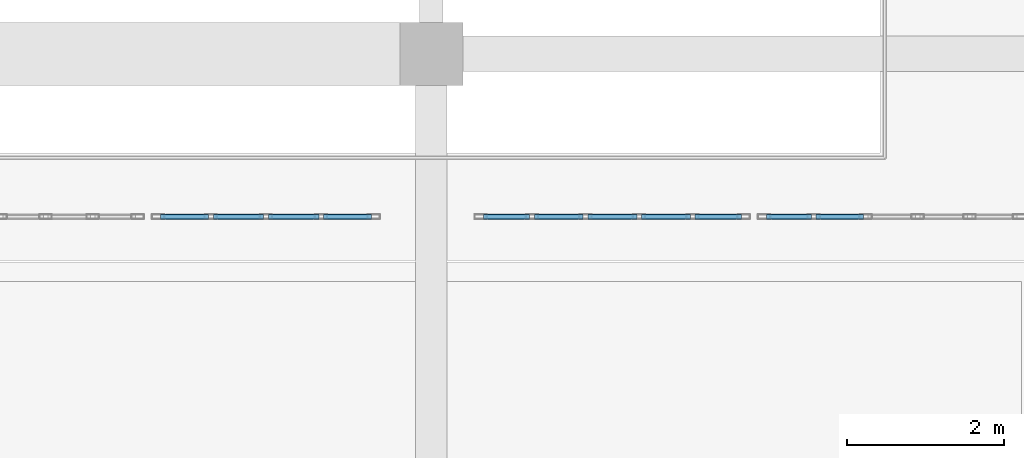
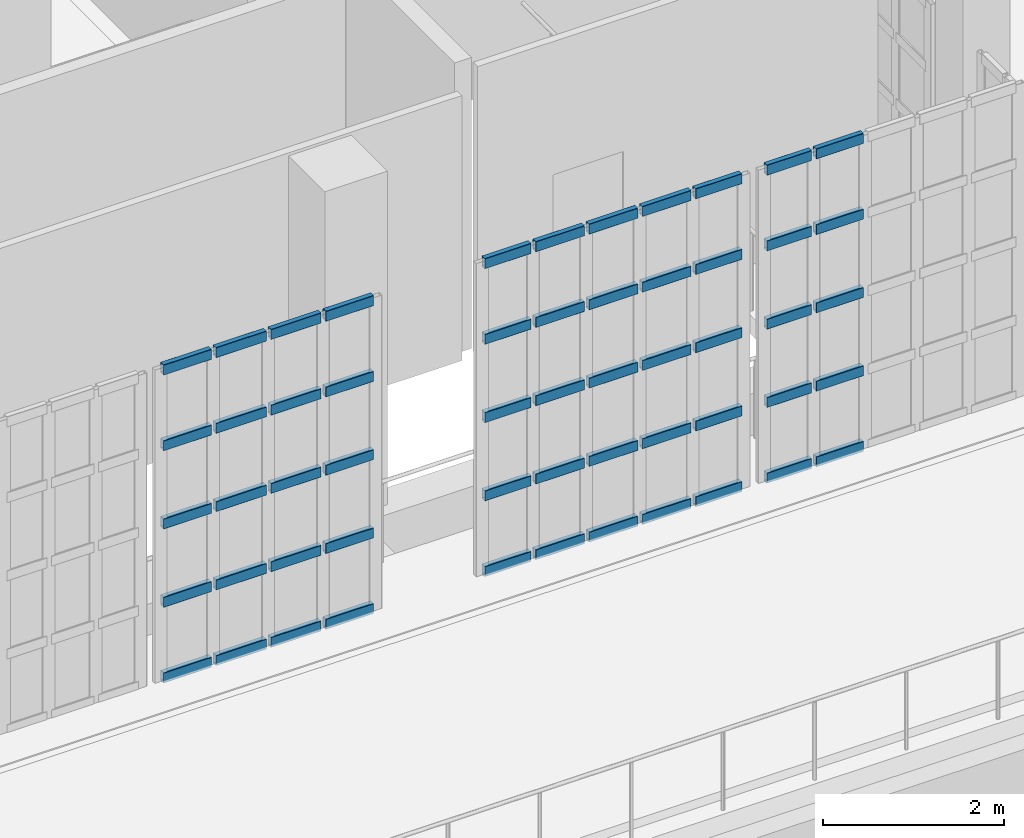
# One storey, part 27 of 56: 55 members, 3 elements without a shape of their own.
"""IFC4 building model written with IfcOpenShell, lengths in metres."""

import ifcopenshell
import ifcopenshell.guid

model = None  # the IFC model being written
_history = None  # IfcOwnerHistory: only IFC2X3 demands one
_inside = {}  # id of a spatial element -> (the spatial element, [elements in it])
_under = {}  # id of a project, library or spatial element -> (it, [spatial elements below it])
_declared = {}  # id of a project -> (the project, [libraries it declares])
_typed = {}  # id of a type object -> (the type object, [elements of that type])
_made_of = {}  # id of a material, layer set ... -> (it, [elements and type objects made of it])


def new_model(schema):
    """Start an empty IFC model of exactly this schema.

    Asked for "IFC4X3", IfcOpenShell would pick the latest addendum, in which some entities
    have other attributes; the version numbers below select the first issue.
    IFC2X3 requires an IfcOwnerHistory on every rooted entity: one is made here for all.
    """
    global model, _history
    if schema == "IFC4X3":
        model = ifcopenshell.file(schema_version=(4, 3, 0, 0))
    else:
        model = ifcopenshell.file(schema=schema)
    _inside.clear()
    _under.clear()
    _declared.clear()
    _typed.clear()
    _made_of.clear()
    _history = None
    if model.schema == "IFC2X3":
        org = make("IfcOrganization", Name="unknown")
        user = make(
            "IfcPersonAndOrganization",
            ThePerson=make("IfcPerson", FamilyName="unknown"),
            TheOrganization=org,
        )
        app = make(
            "IfcApplication",
            ApplicationDeveloper=org,
            Version="unknown",
            ApplicationFullName="unknown",
            ApplicationIdentifier="unknown",
        )
        _history = make(
            "IfcOwnerHistory",
            OwningUser=user,
            OwningApplication=app,
            ChangeAction="ADDED",
            CreationDate=0,
        )
    return model


def make(cls, **values):
    """One entity of the class cls with the attributes given. An attribute that is None is left unset."""
    return model.create_entity(
        cls, **{name: value for name, value in values.items() if value is not None}
    )


def rooted(cls, **values):
    """An entity with a GlobalId (a new one), such as an element, a storey or a relation."""
    return make(cls, GlobalId=ifcopenshell.guid.new(), OwnerHistory=_history, **values)


def si_unit(unit_type, name, prefix=None):
    """IfcSIUnit, for example si_unit("LENGTHUNIT", "METRE", prefix="MILLI")."""
    return make("IfcSIUnit", UnitType=unit_type, Prefix=prefix, Name=name)


def assignment(units):
    """IfcUnitAssignment: the units of a project."""
    return None if units is None else make("IfcUnitAssignment", Units=units)


def point(xyz):
    """IfcCartesianPoint."""
    return None if xyz is None else make("IfcCartesianPoint", Coordinates=xyz)


def direction(xyz):
    """IfcDirection."""
    return None if xyz is None else make("IfcDirection", DirectionRatios=xyz)


def frame(location, z_axis=None, x_axis=None):
    """IfcAxis2Placement3D, a coordinate frame: its origin and axes. An axis left out is left unset."""
    return make(
        "IfcAxis2Placement3D",
        Location=point(location),
        Axis=direction(z_axis),
        RefDirection=direction(x_axis),
    )


def frame_2d(location, x_axis=None):
    """IfcAxis2Placement2D, a coordinate frame in the plane: its origin and x axis."""
    return make(
        "IfcAxis2Placement2D", Location=point(location), RefDirection=direction(x_axis)
    )


def origin():
    """The frame at (0, 0, 0) with its axes left unset."""
    return frame((0.0, 0.0, 0.0))


def origin_2d():
    """The frame at (0, 0) in the plane with its x axis left unset."""
    return frame_2d((0.0, 0.0))


def place(relative_to, where):
    """IfcLocalPlacement: puts the frame where relative to a parent placement (None: the world)."""
    return make(
        "IfcLocalPlacement", PlacementRelTo=relative_to, RelativePlacement=where
    )


def context(
    kind, dimensions, precision=None, world=None, true_north=None, identifier=None
):
    """IfcGeometricRepresentationContext, for example the 3D "Model" context."""
    return make(
        "IfcGeometricRepresentationContext",
        ContextIdentifier=identifier,
        ContextType=kind,
        CoordinateSpaceDimension=dimensions,
        Precision=precision,
        WorldCoordinateSystem=world,
        TrueNorth=true_north,
    )


def subcontext(parent, identifier, kind, view, scale=None):
    """IfcGeometricRepresentationSubContext, for example "Body" below "Model"."""
    return make(
        "IfcGeometricRepresentationSubContext",
        ContextIdentifier=identifier,
        ContextType=kind,
        ParentContext=parent,
        TargetScale=scale,
        TargetView=view,
    )


def project(units=None, contexts=None):
    """IfcProject with its units and contexts."""
    return rooted(
        "IfcProject",
        Name="project",
        RepresentationContexts=contexts,
        UnitsInContext=assignment(units),
    )


def spatial(cls, under=None, at=None, **own):
    """A site, building, storey or space (cls), placed at a placement, below another one or the project."""
    s = rooted(cls, ObjectPlacement=at, **own)
    if under is not None:
        _under.setdefault(under.id(), (under, []))[1].append(s)
    return s


def profile(cls, at=None, kind="AREA", **sizes):
    """A parametric profile (cls). Its sizes go by their IFC names, for example OverallWidth=200.0."""
    return make(cls, ProfileType=kind, Position=at, **sizes)


def hollow_rectangle(**sizes):
    """IfcRectangleHollowProfileDef."""
    return profile("IfcRectangleHollowProfileDef", **sizes)


def extrude(swept, where, along, depth):
    """IfcExtrudedAreaSolid: the profile swept, set in the frame where, extruded along a direction by depth."""
    return make(
        "IfcExtrudedAreaSolid",
        SweptArea=swept,
        Position=where,
        ExtrudedDirection=direction(along),
        Depth=depth,
    )


def shape(context_of_items, identifier, shape_type, items):
    """IfcShapeRepresentation: the items that make up one representation, for example the "Body"."""
    return make(
        "IfcShapeRepresentation",
        ContextOfItems=context_of_items,
        RepresentationIdentifier=identifier,
        RepresentationType=shape_type,
        Items=items,
    )


def material(Name=None, Category=None):
    """IfcMaterial."""
    return make("IfcMaterial", Name=Name, Category=Category)


def material_profile(
    of_material, cross_section, Name=None, Category=None, Priority=None
):
    """IfcMaterialProfile: a cross section and its material."""
    return make(
        "IfcMaterialProfile",
        Name=Name,
        Material=of_material,
        Profile=cross_section,
        Priority=Priority,
        Category=Category,
    )


def profile_set(profiles, Name=None, composite=None):
    """IfcMaterialProfileSet."""
    return make(
        "IfcMaterialProfileSet",
        Name=Name,
        MaterialProfiles=profiles,
        CompositeProfile=composite,
    )


def made_of(thing, what):
    """Note that an element or type object is made of a material, layer set ...; save() writes the relation."""
    if what is not None:
        _made_of.setdefault(what.id(), (what, []))[1].append(thing)
    return thing


def type_object(cls, material=None, **own):
    """A type object (cls), such as IfcWallType, which elements share."""
    return made_of(rooted(cls, **own), material)


def element(
    cls,
    number,
    at=None,
    inside=None,
    cuts=None,
    type_object=None,
    material=None,
    context=None,
    identifier="Body",
    shape_type=None,
    held_by="IfcProductDefinitionShape",
    body=None,
    shapes=None,
    **own,
):
    """One element of the class cls, such as IfcWall. Its Tag is "e" and its number.

    at: its placement. inside: the storey or other place that contains it. cuts: it is an
    opening in that element (IfcRelVoidsElement). A single representation is given by context,
    identifier, shape_type and body (its items); several are given by shapes. held_by: the class
    of the entity that holds the representations. save() writes the other relations.
    """
    e = rooted(cls, Tag="e%d" % number, ObjectPlacement=at, **own)
    if body is not None:
        shapes = [shape(context, identifier, shape_type, body)]
    if shapes is not None:
        e.Representation = make(held_by, Representations=shapes)
    if inside is not None:
        _inside.setdefault(inside.id(), (inside, []))[1].append(e)
    if cuts is not None:
        rooted(
            "IfcRelVoidsElement", RelatingBuildingElement=cuts, RelatedOpeningElement=e
        )
    if type_object is not None:
        _typed.setdefault(type_object.id(), (type_object, []))[1].append(e)
    return made_of(e, material)


def aggregate(whole, parts):
    """IfcRelAggregates: a whole, such as a stair, and the parts it consists of."""
    return rooted("IfcRelAggregates", RelatingObject=whole, RelatedObjects=parts)


def save(model, path):
    """Write the relations noted so far, then the file.

    IfcRelAggregates (storeys below a building ...), IfcRelContainedInSpatialStructure (elements
    in a storey), IfcRelDefinesByType, IfcRelAssociatesMaterial and IfcRelDeclares: one each for
    every whole, place, type object, material and project.
    """
    for whole, parts in _under.values():
        aggregate(whole, parts)
    for where, things in _inside.values():
        rooted(
            "IfcRelContainedInSpatialStructure",
            RelatedElements=things,
            RelatingStructure=where,
        )
    for kind, things in _typed.values():
        rooted("IfcRelDefinesByType", RelatedObjects=things, RelatingType=kind)
    for what, things in _made_of.values():
        rooted("IfcRelAssociatesMaterial", RelatedObjects=things, RelatingMaterial=what)
    for by, libraries in _declared.values():
        rooted("IfcRelDeclares", RelatingContext=by, RelatedDefinitions=libraries)
    model.write(path)


model = new_model("IFC4")

# Units and contexts
model_context = context("Model", 3, precision=1e-05, world=origin(), true_north=direction((0.0, 1.0)))
body_context = subcontext(model_context, "Body", "Model", "MODEL_VIEW")
ifc_project = project(units=[si_unit("LENGTHUNIT", "METRE"), si_unit("AREAUNIT", "SQUARE_METRE"), si_unit("VOLUMEUNIT", "CUBIC_METRE"), si_unit("PLANEANGLEUNIT", "RADIAN"), si_unit("MASSUNIT", "GRAM", prefix="KILO")], contexts=[model_context])

# Site, building, storey
site_placement = place(None, origin())
site = spatial("IfcSite", under=ifc_project, at=site_placement, CompositionType="ELEMENT")
building_placement = place(site_placement, origin())
building = spatial("IfcBuilding", under=site, at=building_placement, Name="Kaelora Sail Theatre", CompositionType="ELEMENT")
storey_placement = place(building_placement, frame((0.0, 0.0, 14.699951171875)))
storey = spatial("IfcBuildingStorey", under=building, at=storey_placement, Name="L03", CompositionType="ELEMENT", Elevation=14.699951171875)

# Curtain wall, members
ifc_material_1 = material(Name="Anodised aluminium and solar-control low-E IGU", Category="aluminium")
curtain_wall_type = type_object("IfcCurtainWallType", Name="ARC-CW-CW-BRG", PredefinedType="NOTDEFINED", material=ifc_material_1)
curtain_wall_1_placement = place(storey_placement, origin())
curtain_wall_1 = element("IfcCurtainWall", 1, at=curtain_wall_1_placement, inside=storey, type_object=curtain_wall_type, Name="Glazed Foyer/Conservatory Curtain Wall FC1-S-L03-09", PredefinedType="NOTDEFINED")
ifc_material_2 = material(Name="Anodised aluminium 6063-T6", Category="aluminium")
ifc_material_profile = material_profile(ifc_material_2, hollow_rectangle(XDim=0.070068359375, YDim=0.139892578125, WallThickness=0.00390625, InnerFilletRadius=0.00390625, OuterFilletRadius=0.008056640625, at=origin_2d()), Name="ALU-TRAN 70x140x4")
ifc_profile_set = profile_set([ifc_material_profile], Name="Anodised aluminium 6063-T6")
member_type = type_object("IfcMemberType", Name="ARC-MEM-TR-140", PredefinedType="USERDEFINED", material=ifc_profile_set)
member_1_placement = place(storey_placement, frame((79.06005859375, 66.389892578125, 0.03515625), z_axis=(1.0, 0.0, 0.0), x_axis=(0.0, 1.0, 0.0)))
member_1 = element("IfcMember", 2, at=member_1_placement, type_object=member_type, Name="CW-BRG transom 1.1", ObjectType="TRANSOM", PredefinedType="USERDEFINED", context=body_context, shape_type="SweptSolid", body=[
    extrude(hollow_rectangle(XDim=0.070068359375, YDim=0.139892578125, WallThickness=0.00390625, InnerFilletRadius=0.00390625, OuterFilletRadius=0.008056640625, at=origin_2d()), origin(), (0.0, 0.0, 1.0), 0.60986328125),
])
member_2_placement = place(storey_placement, frame((79.06005859375, 66.389892578125, 1.05615234375), z_axis=(1.0, 0.0, 0.0), x_axis=(0.0, 1.0, 0.0)))
member_2 = element("IfcMember", 3, at=member_2_placement, type_object=member_type, Name="CW-BRG transom 1.2", ObjectType="TRANSOM", PredefinedType="USERDEFINED", context=body_context, shape_type="SweptSolid", body=[
    extrude(hollow_rectangle(XDim=0.070068359375, YDim=0.139892578125, WallThickness=0.00390625, InnerFilletRadius=0.00390625, OuterFilletRadius=0.008056640625, at=origin_2d()), origin(), (0.0, 0.0, 1.0), 0.60986328125),
])
member_3_placement = place(storey_placement, frame((79.06005859375, 66.389892578125, 2.112548828125), z_axis=(1.0, 0.0, 0.0), x_axis=(0.0, 1.0, 0.0)))
member_3 = element("IfcMember", 4, at=member_3_placement, type_object=member_type, Name="CW-BRG transom 1.3", ObjectType="TRANSOM", PredefinedType="USERDEFINED", context=body_context, shape_type="SweptSolid", body=[
    extrude(hollow_rectangle(XDim=0.070068359375, YDim=0.139892578125, WallThickness=0.00390625, InnerFilletRadius=0.00390625, OuterFilletRadius=0.008056640625, at=origin_2d()), origin(), (0.0, 0.0, 1.0), 0.60986328125),
])
member_4_placement = place(storey_placement, frame((79.06005859375, 66.389892578125, 3.168701171875), z_axis=(1.0, 0.0, 0.0), x_axis=(0.0, 1.0, 0.0)))
member_4 = element("IfcMember", 5, at=member_4_placement, type_object=member_type, Name="CW-BRG transom 1.4", ObjectType="TRANSOM", PredefinedType="USERDEFINED", context=body_context, shape_type="SweptSolid", body=[
    extrude(hollow_rectangle(XDim=0.070068359375, YDim=0.139892578125, WallThickness=0.00390625, InnerFilletRadius=0.00390625, OuterFilletRadius=0.008056640625, at=origin_2d()), origin(), (0.0, 0.0, 1.0), 0.60986328125),
])
member_5_placement = place(storey_placement, frame((79.06005859375, 66.389892578125, 4.18994140625), z_axis=(1.0, 0.0, 0.0), x_axis=(0.0, 1.0, 0.0)))
member_5 = element("IfcMember", 6, at=member_5_placement, type_object=member_type, Name="CW-BRG transom 1.5", ObjectType="TRANSOM", PredefinedType="USERDEFINED", context=body_context, shape_type="SweptSolid", body=[
    extrude(hollow_rectangle(XDim=0.070068359375, YDim=0.139892578125, WallThickness=0.00390625, InnerFilletRadius=0.00390625, OuterFilletRadius=0.008056640625, at=origin_2d()), origin(), (0.0, 0.0, 1.0), 0.60986328125),
])
member_6_placement = place(storey_placement, frame((79.72998046875, 66.389892578125, 0.03515625), z_axis=(1.0, 0.0, 0.0), x_axis=(0.0, 1.0, 0.0)))
member_6 = element("IfcMember", 7, at=member_6_placement, type_object=member_type, Name="CW-BRG transom 2.1", ObjectType="TRANSOM", PredefinedType="USERDEFINED", context=body_context, shape_type="SweptSolid", body=[
    extrude(hollow_rectangle(XDim=0.070068359375, YDim=0.139892578125, WallThickness=0.00390625, InnerFilletRadius=0.00390625, OuterFilletRadius=0.008056640625, at=origin_2d()), origin(), (0.0, 0.0, 1.0), 0.64013671875),
])
member_7_placement = place(storey_placement, frame((79.72998046875, 66.389892578125, 1.05615234375), z_axis=(1.0, 0.0, 0.0), x_axis=(0.0, 1.0, 0.0)))
member_7 = element("IfcMember", 8, at=member_7_placement, type_object=member_type, Name="CW-BRG transom 2.2", ObjectType="TRANSOM", PredefinedType="USERDEFINED", context=body_context, shape_type="SweptSolid", body=[
    extrude(hollow_rectangle(XDim=0.070068359375, YDim=0.139892578125, WallThickness=0.00390625, InnerFilletRadius=0.00390625, OuterFilletRadius=0.008056640625, at=origin_2d()), origin(), (0.0, 0.0, 1.0), 0.64013671875),
])
member_8_placement = place(storey_placement, frame((79.72998046875, 66.389892578125, 2.112548828125), z_axis=(1.0, 0.0, 0.0), x_axis=(0.0, 1.0, 0.0)))
member_8 = element("IfcMember", 9, at=member_8_placement, type_object=member_type, Name="CW-BRG transom 2.3", ObjectType="TRANSOM", PredefinedType="USERDEFINED", context=body_context, shape_type="SweptSolid", body=[
    extrude(hollow_rectangle(XDim=0.070068359375, YDim=0.139892578125, WallThickness=0.00390625, InnerFilletRadius=0.00390625, OuterFilletRadius=0.008056640625, at=origin_2d()), origin(), (0.0, 0.0, 1.0), 0.64013671875),
])
member_9_placement = place(storey_placement, frame((79.72998046875, 66.389892578125, 3.168701171875), z_axis=(1.0, 0.0, 0.0), x_axis=(0.0, 1.0, 0.0)))
member_9 = element("IfcMember", 10, at=member_9_placement, type_object=member_type, Name="CW-BRG transom 2.4", ObjectType="TRANSOM", PredefinedType="USERDEFINED", context=body_context, shape_type="SweptSolid", body=[
    extrude(hollow_rectangle(XDim=0.070068359375, YDim=0.139892578125, WallThickness=0.00390625, InnerFilletRadius=0.00390625, OuterFilletRadius=0.008056640625, at=origin_2d()), origin(), (0.0, 0.0, 1.0), 0.64013671875),
])
member_10_placement = place(storey_placement, frame((79.72998046875, 66.389892578125, 4.18994140625), z_axis=(1.0, 0.0, 0.0), x_axis=(0.0, 1.0, 0.0)))
member_10 = element("IfcMember", 11, at=member_10_placement, type_object=member_type, Name="CW-BRG transom 2.5", ObjectType="TRANSOM", PredefinedType="USERDEFINED", context=body_context, shape_type="SweptSolid", body=[
    extrude(hollow_rectangle(XDim=0.070068359375, YDim=0.139892578125, WallThickness=0.00390625, InnerFilletRadius=0.00390625, OuterFilletRadius=0.008056640625, at=origin_2d()), origin(), (0.0, 0.0, 1.0), 0.64013671875),
])
member_11_placement = place(storey_placement, frame((80.429931640625, 66.389892578125, 0.03515625), z_axis=(1.0, 0.0, 0.0), x_axis=(0.0, 1.0, 0.0)))
member_11 = element("IfcMember", 12, at=member_11_placement, type_object=member_type, Name="CW-BRG transom 3.1", ObjectType="TRANSOM", PredefinedType="USERDEFINED", context=body_context, shape_type="SweptSolid", body=[
    extrude(hollow_rectangle(XDim=0.070068359375, YDim=0.139892578125, WallThickness=0.00390625, InnerFilletRadius=0.00390625, OuterFilletRadius=0.008056640625, at=origin_2d()), origin(), (0.0, 0.0, 1.0), 0.64013671875),
])
member_12_placement = place(storey_placement, frame((80.429931640625, 66.389892578125, 1.05615234375), z_axis=(1.0, 0.0, 0.0), x_axis=(0.0, 1.0, 0.0)))
member_12 = element("IfcMember", 13, at=member_12_placement, type_object=member_type, Name="CW-BRG transom 3.2", ObjectType="TRANSOM", PredefinedType="USERDEFINED", context=body_context, shape_type="SweptSolid", body=[
    extrude(hollow_rectangle(XDim=0.070068359375, YDim=0.139892578125, WallThickness=0.00390625, InnerFilletRadius=0.00390625, OuterFilletRadius=0.008056640625, at=origin_2d()), origin(), (0.0, 0.0, 1.0), 0.64013671875),
])
member_13_placement = place(storey_placement, frame((80.429931640625, 66.389892578125, 2.112548828125), z_axis=(1.0, 0.0, 0.0), x_axis=(0.0, 1.0, 0.0)))
member_13 = element("IfcMember", 14, at=member_13_placement, type_object=member_type, Name="CW-BRG transom 3.3", ObjectType="TRANSOM", PredefinedType="USERDEFINED", context=body_context, shape_type="SweptSolid", body=[
    extrude(hollow_rectangle(XDim=0.070068359375, YDim=0.139892578125, WallThickness=0.00390625, InnerFilletRadius=0.00390625, OuterFilletRadius=0.008056640625, at=origin_2d()), origin(), (0.0, 0.0, 1.0), 0.64013671875),
])
member_14_placement = place(storey_placement, frame((80.429931640625, 66.389892578125, 3.168701171875), z_axis=(1.0, 0.0, 0.0), x_axis=(0.0, 1.0, 0.0)))
member_14 = element("IfcMember", 15, at=member_14_placement, type_object=member_type, Name="CW-BRG transom 3.4", ObjectType="TRANSOM", PredefinedType="USERDEFINED", context=body_context, shape_type="SweptSolid", body=[
    extrude(hollow_rectangle(XDim=0.070068359375, YDim=0.139892578125, WallThickness=0.00390625, InnerFilletRadius=0.00390625, OuterFilletRadius=0.008056640625, at=origin_2d()), origin(), (0.0, 0.0, 1.0), 0.64013671875),
])
member_15_placement = place(storey_placement, frame((80.429931640625, 66.389892578125, 4.18994140625), z_axis=(1.0, 0.0, 0.0), x_axis=(0.0, 1.0, 0.0)))
member_15 = element("IfcMember", 16, at=member_15_placement, type_object=member_type, Name="CW-BRG transom 3.5", ObjectType="TRANSOM", PredefinedType="USERDEFINED", context=body_context, shape_type="SweptSolid", body=[
    extrude(hollow_rectangle(XDim=0.070068359375, YDim=0.139892578125, WallThickness=0.00390625, InnerFilletRadius=0.00390625, OuterFilletRadius=0.008056640625, at=origin_2d()), origin(), (0.0, 0.0, 1.0), 0.64013671875),
])
member_16_placement = place(storey_placement, frame((81.1298828125, 66.389892578125, 0.03515625), z_axis=(1.0, 0.0, 0.0), x_axis=(0.0, 1.0, 0.0)))
member_16 = element("IfcMember", 17, at=member_16_placement, type_object=member_type, Name="CW-BRG transom 4.1", ObjectType="TRANSOM", PredefinedType="USERDEFINED", context=body_context, shape_type="SweptSolid", body=[
    extrude(hollow_rectangle(XDim=0.070068359375, YDim=0.139892578125, WallThickness=0.00390625, InnerFilletRadius=0.00390625, OuterFilletRadius=0.008056640625, at=origin_2d()), origin(), (0.0, 0.0, 1.0), 0.610107421875),
])
member_17_placement = place(storey_placement, frame((81.1298828125, 66.389892578125, 1.05615234375), z_axis=(1.0, 0.0, 0.0), x_axis=(0.0, 1.0, 0.0)))
member_17 = element("IfcMember", 18, at=member_17_placement, type_object=member_type, Name="CW-BRG transom 4.2", ObjectType="TRANSOM", PredefinedType="USERDEFINED", context=body_context, shape_type="SweptSolid", body=[
    extrude(hollow_rectangle(XDim=0.070068359375, YDim=0.139892578125, WallThickness=0.00390625, InnerFilletRadius=0.00390625, OuterFilletRadius=0.008056640625, at=origin_2d()), origin(), (0.0, 0.0, 1.0), 0.610107421875),
])
member_18_placement = place(storey_placement, frame((81.1298828125, 66.389892578125, 2.112548828125), z_axis=(1.0, 0.0, 0.0), x_axis=(0.0, 1.0, 0.0)))
member_18 = element("IfcMember", 19, at=member_18_placement, type_object=member_type, Name="CW-BRG transom 4.3", ObjectType="TRANSOM", PredefinedType="USERDEFINED", context=body_context, shape_type="SweptSolid", body=[
    extrude(hollow_rectangle(XDim=0.070068359375, YDim=0.139892578125, WallThickness=0.00390625, InnerFilletRadius=0.00390625, OuterFilletRadius=0.008056640625, at=origin_2d()), origin(), (0.0, 0.0, 1.0), 0.610107421875),
])
member_19_placement = place(storey_placement, frame((81.1298828125, 66.389892578125, 3.168701171875), z_axis=(1.0, 0.0, 0.0), x_axis=(0.0, 1.0, 0.0)))
member_19 = element("IfcMember", 20, at=member_19_placement, type_object=member_type, Name="CW-BRG transom 4.4", ObjectType="TRANSOM", PredefinedType="USERDEFINED", context=body_context, shape_type="SweptSolid", body=[
    extrude(hollow_rectangle(XDim=0.070068359375, YDim=0.139892578125, WallThickness=0.00390625, InnerFilletRadius=0.00390625, OuterFilletRadius=0.008056640625, at=origin_2d()), origin(), (0.0, 0.0, 1.0), 0.610107421875),
])
member_20_placement = place(storey_placement, frame((81.1298828125, 66.389892578125, 4.18994140625), z_axis=(1.0, 0.0, 0.0), x_axis=(0.0, 1.0, 0.0)))
member_20 = element("IfcMember", 21, at=member_20_placement, type_object=member_type, Name="CW-BRG transom 4.5", ObjectType="TRANSOM", PredefinedType="USERDEFINED", context=body_context, shape_type="SweptSolid", body=[
    extrude(hollow_rectangle(XDim=0.070068359375, YDim=0.139892578125, WallThickness=0.00390625, InnerFilletRadius=0.00390625, OuterFilletRadius=0.008056640625, at=origin_2d()), origin(), (0.0, 0.0, 1.0), 0.610107421875),
])
aggregate(curtain_wall_1, [member_1, member_2, member_3, member_4, member_5, member_6, member_7, member_8, member_9, member_10, member_11, member_12, member_13, member_14, member_15, member_16, member_17, member_18, member_19, member_20])

curtain_wall_2_placement = place(storey_placement, origin())
curtain_wall_2 = element("IfcCurtainWall", 22, at=curtain_wall_2_placement, inside=storey, type_object=curtain_wall_type, Name="Glazed Foyer/Conservatory Curtain Wall FC1-S-L03-10", PredefinedType="NOTDEFINED")
member_21_placement = place(storey_placement, frame((83.159912109375, 66.389892578125, 0.03515625), z_axis=(1.0, 0.0, 0.0), x_axis=(0.0, 1.0, 0.0)))
member_21 = element("IfcMember", 23, at=member_21_placement, type_object=member_type, Name="CW-BRG transom 1.1", ObjectType="TRANSOM", PredefinedType="USERDEFINED", context=body_context, shape_type="SweptSolid", body=[
    extrude(hollow_rectangle(XDim=0.070068359375, YDim=0.139892578125, WallThickness=0.00390625, InnerFilletRadius=0.00390625, OuterFilletRadius=0.008056640625, at=origin_2d()), origin(), (0.0, 0.0, 1.0), 0.590087890625),
])
member_22_placement = place(storey_placement, frame((83.159912109375, 66.389892578125, 1.05615234375), z_axis=(1.0, 0.0, 0.0), x_axis=(0.0, 1.0, 0.0)))
member_22 = element("IfcMember", 24, at=member_22_placement, type_object=member_type, Name="CW-BRG transom 1.2", ObjectType="TRANSOM", PredefinedType="USERDEFINED", context=body_context, shape_type="SweptSolid", body=[
    extrude(hollow_rectangle(XDim=0.070068359375, YDim=0.139892578125, WallThickness=0.00390625, InnerFilletRadius=0.00390625, OuterFilletRadius=0.008056640625, at=origin_2d()), origin(), (0.0, 0.0, 1.0), 0.590087890625),
])
member_23_placement = place(storey_placement, frame((83.159912109375, 66.389892578125, 2.112548828125), z_axis=(1.0, 0.0, 0.0), x_axis=(0.0, 1.0, 0.0)))
member_23 = element("IfcMember", 25, at=member_23_placement, type_object=member_type, Name="CW-BRG transom 1.3", ObjectType="TRANSOM", PredefinedType="USERDEFINED", context=body_context, shape_type="SweptSolid", body=[
    extrude(hollow_rectangle(XDim=0.070068359375, YDim=0.139892578125, WallThickness=0.00390625, InnerFilletRadius=0.00390625, OuterFilletRadius=0.008056640625, at=origin_2d()), origin(), (0.0, 0.0, 1.0), 0.590087890625),
])
member_24_placement = place(storey_placement, frame((83.159912109375, 66.389892578125, 3.168701171875), z_axis=(1.0, 0.0, 0.0), x_axis=(0.0, 1.0, 0.0)))
member_24 = element("IfcMember", 26, at=member_24_placement, type_object=member_type, Name="CW-BRG transom 1.4", ObjectType="TRANSOM", PredefinedType="USERDEFINED", context=body_context, shape_type="SweptSolid", body=[
    extrude(hollow_rectangle(XDim=0.070068359375, YDim=0.139892578125, WallThickness=0.00390625, InnerFilletRadius=0.00390625, OuterFilletRadius=0.008056640625, at=origin_2d()), origin(), (0.0, 0.0, 1.0), 0.590087890625),
])
member_25_placement = place(storey_placement, frame((83.159912109375, 66.389892578125, 4.18994140625), z_axis=(1.0, 0.0, 0.0), x_axis=(0.0, 1.0, 0.0)))
member_25 = element("IfcMember", 27, at=member_25_placement, type_object=member_type, Name="CW-BRG transom 1.5", ObjectType="TRANSOM", PredefinedType="USERDEFINED", context=body_context, shape_type="SweptSolid", body=[
    extrude(hollow_rectangle(XDim=0.070068359375, YDim=0.139892578125, WallThickness=0.00390625, InnerFilletRadius=0.00390625, OuterFilletRadius=0.008056640625, at=origin_2d()), origin(), (0.0, 0.0, 1.0), 0.590087890625),
])
member_26_placement = place(storey_placement, frame((83.81005859375, 66.389892578125, 0.03515625), z_axis=(1.0, 0.0, 0.0), x_axis=(0.0, 1.0, 0.0)))
member_26 = element("IfcMember", 28, at=member_26_placement, type_object=member_type, Name="CW-BRG transom 2.1", ObjectType="TRANSOM", PredefinedType="USERDEFINED", context=body_context, shape_type="SweptSolid", body=[
    extrude(hollow_rectangle(XDim=0.070068359375, YDim=0.139892578125, WallThickness=0.00390625, InnerFilletRadius=0.00390625, OuterFilletRadius=0.008056640625, at=origin_2d()), origin(), (0.0, 0.0, 1.0), 0.619873046875),
])
member_27_placement = place(storey_placement, frame((83.81005859375, 66.389892578125, 1.05615234375), z_axis=(1.0, 0.0, 0.0), x_axis=(0.0, 1.0, 0.0)))
member_27 = element("IfcMember", 29, at=member_27_placement, type_object=member_type, Name="CW-BRG transom 2.2", ObjectType="TRANSOM", PredefinedType="USERDEFINED", context=body_context, shape_type="SweptSolid", body=[
    extrude(hollow_rectangle(XDim=0.070068359375, YDim=0.139892578125, WallThickness=0.00390625, InnerFilletRadius=0.00390625, OuterFilletRadius=0.008056640625, at=origin_2d()), origin(), (0.0, 0.0, 1.0), 0.619873046875),
])
member_28_placement = place(storey_placement, frame((83.81005859375, 66.389892578125, 2.112548828125), z_axis=(1.0, 0.0, 0.0), x_axis=(0.0, 1.0, 0.0)))
member_28 = element("IfcMember", 30, at=member_28_placement, type_object=member_type, Name="CW-BRG transom 2.3", ObjectType="TRANSOM", PredefinedType="USERDEFINED", context=body_context, shape_type="SweptSolid", body=[
    extrude(hollow_rectangle(XDim=0.070068359375, YDim=0.139892578125, WallThickness=0.00390625, InnerFilletRadius=0.00390625, OuterFilletRadius=0.008056640625, at=origin_2d()), origin(), (0.0, 0.0, 1.0), 0.619873046875),
])
member_29_placement = place(storey_placement, frame((83.81005859375, 66.389892578125, 3.168701171875), z_axis=(1.0, 0.0, 0.0), x_axis=(0.0, 1.0, 0.0)))
member_29 = element("IfcMember", 31, at=member_29_placement, type_object=member_type, Name="CW-BRG transom 2.4", ObjectType="TRANSOM", PredefinedType="USERDEFINED", context=body_context, shape_type="SweptSolid", body=[
    extrude(hollow_rectangle(XDim=0.070068359375, YDim=0.139892578125, WallThickness=0.00390625, InnerFilletRadius=0.00390625, OuterFilletRadius=0.008056640625, at=origin_2d()), origin(), (0.0, 0.0, 1.0), 0.619873046875),
])
member_30_placement = place(storey_placement, frame((83.81005859375, 66.389892578125, 4.18994140625), z_axis=(1.0, 0.0, 0.0), x_axis=(0.0, 1.0, 0.0)))
member_30 = element("IfcMember", 32, at=member_30_placement, type_object=member_type, Name="CW-BRG transom 2.5", ObjectType="TRANSOM", PredefinedType="USERDEFINED", context=body_context, shape_type="SweptSolid", body=[
    extrude(hollow_rectangle(XDim=0.070068359375, YDim=0.139892578125, WallThickness=0.00390625, InnerFilletRadius=0.00390625, OuterFilletRadius=0.008056640625, at=origin_2d()), origin(), (0.0, 0.0, 1.0), 0.619873046875),
])
member_31_placement = place(storey_placement, frame((84.489990234375, 66.389892578125, 0.03515625), z_axis=(1.0, 0.0, 0.0), x_axis=(0.0, 1.0, 0.0)))
member_31 = element("IfcMember", 33, at=member_31_placement, type_object=member_type, Name="CW-BRG transom 3.1", ObjectType="TRANSOM", PredefinedType="USERDEFINED", context=body_context, shape_type="SweptSolid", body=[
    extrude(hollow_rectangle(XDim=0.070068359375, YDim=0.139892578125, WallThickness=0.00390625, InnerFilletRadius=0.00390625, OuterFilletRadius=0.008056640625, at=origin_2d()), origin(), (0.0, 0.0, 1.0), 0.6201171875),
])
member_32_placement = place(storey_placement, frame((84.489990234375, 66.389892578125, 1.05615234375), z_axis=(1.0, 0.0, 0.0), x_axis=(0.0, 1.0, 0.0)))
member_32 = element("IfcMember", 34, at=member_32_placement, type_object=member_type, Name="CW-BRG transom 3.2", ObjectType="TRANSOM", PredefinedType="USERDEFINED", context=body_context, shape_type="SweptSolid", body=[
    extrude(hollow_rectangle(XDim=0.070068359375, YDim=0.139892578125, WallThickness=0.00390625, InnerFilletRadius=0.00390625, OuterFilletRadius=0.008056640625, at=origin_2d()), origin(), (0.0, 0.0, 1.0), 0.6201171875),
])
member_33_placement = place(storey_placement, frame((84.489990234375, 66.389892578125, 2.112548828125), z_axis=(1.0, 0.0, 0.0), x_axis=(0.0, 1.0, 0.0)))
member_33 = element("IfcMember", 35, at=member_33_placement, type_object=member_type, Name="CW-BRG transom 3.3", ObjectType="TRANSOM", PredefinedType="USERDEFINED", context=body_context, shape_type="SweptSolid", body=[
    extrude(hollow_rectangle(XDim=0.070068359375, YDim=0.139892578125, WallThickness=0.00390625, InnerFilletRadius=0.00390625, OuterFilletRadius=0.008056640625, at=origin_2d()), origin(), (0.0, 0.0, 1.0), 0.6201171875),
])
member_34_placement = place(storey_placement, frame((84.489990234375, 66.389892578125, 3.168701171875), z_axis=(1.0, 0.0, 0.0), x_axis=(0.0, 1.0, 0.0)))
member_34 = element("IfcMember", 36, at=member_34_placement, type_object=member_type, Name="CW-BRG transom 3.4", ObjectType="TRANSOM", PredefinedType="USERDEFINED", context=body_context, shape_type="SweptSolid", body=[
    extrude(hollow_rectangle(XDim=0.070068359375, YDim=0.139892578125, WallThickness=0.00390625, InnerFilletRadius=0.00390625, OuterFilletRadius=0.008056640625, at=origin_2d()), origin(), (0.0, 0.0, 1.0), 0.6201171875),
])
member_35_placement = place(storey_placement, frame((84.489990234375, 66.389892578125, 4.18994140625), z_axis=(1.0, 0.0, 0.0), x_axis=(0.0, 1.0, 0.0)))
member_35 = element("IfcMember", 37, at=member_35_placement, type_object=member_type, Name="CW-BRG transom 3.5", ObjectType="TRANSOM", PredefinedType="USERDEFINED", context=body_context, shape_type="SweptSolid", body=[
    extrude(hollow_rectangle(XDim=0.070068359375, YDim=0.139892578125, WallThickness=0.00390625, InnerFilletRadius=0.00390625, OuterFilletRadius=0.008056640625, at=origin_2d()), origin(), (0.0, 0.0, 1.0), 0.6201171875),
])
member_36_placement = place(storey_placement, frame((85.169921875, 66.389892578125, 0.03515625), z_axis=(1.0, 0.0, 0.0), x_axis=(0.0, 1.0, 0.0)))
member_36 = element("IfcMember", 38, at=member_36_placement, type_object=member_type, Name="CW-BRG transom 4.1", ObjectType="TRANSOM", PredefinedType="USERDEFINED", context=body_context, shape_type="SweptSolid", body=[
    extrude(hollow_rectangle(XDim=0.070068359375, YDim=0.139892578125, WallThickness=0.00390625, InnerFilletRadius=0.00390625, OuterFilletRadius=0.008056640625, at=origin_2d()), origin(), (0.0, 0.0, 1.0), 0.6201171875),
])
member_37_placement = place(storey_placement, frame((85.169921875, 66.389892578125, 1.05615234375), z_axis=(1.0, 0.0, 0.0), x_axis=(0.0, 1.0, 0.0)))
member_37 = element("IfcMember", 39, at=member_37_placement, type_object=member_type, Name="CW-BRG transom 4.2", ObjectType="TRANSOM", PredefinedType="USERDEFINED", context=body_context, shape_type="SweptSolid", body=[
    extrude(hollow_rectangle(XDim=0.070068359375, YDim=0.139892578125, WallThickness=0.00390625, InnerFilletRadius=0.00390625, OuterFilletRadius=0.008056640625, at=origin_2d()), origin(), (0.0, 0.0, 1.0), 0.6201171875),
])
member_38_placement = place(storey_placement, frame((85.169921875, 66.389892578125, 2.112548828125), z_axis=(1.0, 0.0, 0.0), x_axis=(0.0, 1.0, 0.0)))
member_38 = element("IfcMember", 40, at=member_38_placement, type_object=member_type, Name="CW-BRG transom 4.3", ObjectType="TRANSOM", PredefinedType="USERDEFINED", context=body_context, shape_type="SweptSolid", body=[
    extrude(hollow_rectangle(XDim=0.070068359375, YDim=0.139892578125, WallThickness=0.00390625, InnerFilletRadius=0.00390625, OuterFilletRadius=0.008056640625, at=origin_2d()), origin(), (0.0, 0.0, 1.0), 0.6201171875),
])
member_39_placement = place(storey_placement, frame((85.169921875, 66.389892578125, 3.168701171875), z_axis=(1.0, 0.0, 0.0), x_axis=(0.0, 1.0, 0.0)))
member_39 = element("IfcMember", 41, at=member_39_placement, type_object=member_type, Name="CW-BRG transom 4.4", ObjectType="TRANSOM", PredefinedType="USERDEFINED", context=body_context, shape_type="SweptSolid", body=[
    extrude(hollow_rectangle(XDim=0.070068359375, YDim=0.139892578125, WallThickness=0.00390625, InnerFilletRadius=0.00390625, OuterFilletRadius=0.008056640625, at=origin_2d()), origin(), (0.0, 0.0, 1.0), 0.6201171875),
])
member_40_placement = place(storey_placement, frame((85.169921875, 66.389892578125, 4.18994140625), z_axis=(1.0, 0.0, 0.0), x_axis=(0.0, 1.0, 0.0)))
member_40 = element("IfcMember", 42, at=member_40_placement, type_object=member_type, Name="CW-BRG transom 4.5", ObjectType="TRANSOM", PredefinedType="USERDEFINED", context=body_context, shape_type="SweptSolid", body=[
    extrude(hollow_rectangle(XDim=0.070068359375, YDim=0.139892578125, WallThickness=0.00390625, InnerFilletRadius=0.00390625, OuterFilletRadius=0.008056640625, at=origin_2d()), origin(), (0.0, 0.0, 1.0), 0.6201171875),
])
member_41_placement = place(storey_placement, frame((85.85009765625, 66.389892578125, 0.03515625), z_axis=(1.0, 0.0, 0.0), x_axis=(0.0, 1.0, 0.0)))
member_41 = element("IfcMember", 43, at=member_41_placement, type_object=member_type, Name="CW-BRG transom 5.1", ObjectType="TRANSOM", PredefinedType="USERDEFINED", context=body_context, shape_type="SweptSolid", body=[
    extrude(hollow_rectangle(XDim=0.070068359375, YDim=0.139892578125, WallThickness=0.00390625, InnerFilletRadius=0.00390625, OuterFilletRadius=0.008056640625, at=origin_2d()), origin(), (0.0, 0.0, 1.0), 0.58984375),
])
member_42_placement = place(storey_placement, frame((85.85009765625, 66.389892578125, 1.05615234375), z_axis=(1.0, 0.0, 0.0), x_axis=(0.0, 1.0, 0.0)))
member_42 = element("IfcMember", 44, at=member_42_placement, type_object=member_type, Name="CW-BRG transom 5.2", ObjectType="TRANSOM", PredefinedType="USERDEFINED", context=body_context, shape_type="SweptSolid", body=[
    extrude(hollow_rectangle(XDim=0.070068359375, YDim=0.139892578125, WallThickness=0.00390625, InnerFilletRadius=0.00390625, OuterFilletRadius=0.008056640625, at=origin_2d()), origin(), (0.0, 0.0, 1.0), 0.58984375),
])
member_43_placement = place(storey_placement, frame((85.85009765625, 66.389892578125, 2.112548828125), z_axis=(1.0, 0.0, 0.0), x_axis=(0.0, 1.0, 0.0)))
member_43 = element("IfcMember", 45, at=member_43_placement, type_object=member_type, Name="CW-BRG transom 5.3", ObjectType="TRANSOM", PredefinedType="USERDEFINED", context=body_context, shape_type="SweptSolid", body=[
    extrude(hollow_rectangle(XDim=0.070068359375, YDim=0.139892578125, WallThickness=0.00390625, InnerFilletRadius=0.00390625, OuterFilletRadius=0.008056640625, at=origin_2d()), origin(), (0.0, 0.0, 1.0), 0.58984375),
])
member_44_placement = place(storey_placement, frame((85.85009765625, 66.389892578125, 3.168701171875), z_axis=(1.0, 0.0, 0.0), x_axis=(0.0, 1.0, 0.0)))
member_44 = element("IfcMember", 46, at=member_44_placement, type_object=member_type, Name="CW-BRG transom 5.4", ObjectType="TRANSOM", PredefinedType="USERDEFINED", context=body_context, shape_type="SweptSolid", body=[
    extrude(hollow_rectangle(XDim=0.070068359375, YDim=0.139892578125, WallThickness=0.00390625, InnerFilletRadius=0.00390625, OuterFilletRadius=0.008056640625, at=origin_2d()), origin(), (0.0, 0.0, 1.0), 0.58984375),
])
member_45_placement = place(storey_placement, frame((85.85009765625, 66.389892578125, 4.18994140625), z_axis=(1.0, 0.0, 0.0), x_axis=(0.0, 1.0, 0.0)))
member_45 = element("IfcMember", 47, at=member_45_placement, type_object=member_type, Name="CW-BRG transom 5.5", ObjectType="TRANSOM", PredefinedType="USERDEFINED", context=body_context, shape_type="SweptSolid", body=[
    extrude(hollow_rectangle(XDim=0.070068359375, YDim=0.139892578125, WallThickness=0.00390625, InnerFilletRadius=0.00390625, OuterFilletRadius=0.008056640625, at=origin_2d()), origin(), (0.0, 0.0, 1.0), 0.58984375),
])
aggregate(curtain_wall_2, [member_21, member_22, member_23, member_24, member_25, member_26, member_27, member_28, member_29, member_30, member_31, member_32, member_33, member_34, member_35, member_36, member_37, member_38, member_39, member_40, member_41, member_42, member_43, member_44, member_45])

curtain_wall_3_placement = place(storey_placement, origin())
curtain_wall_3 = element("IfcCurtainWall", 48, at=curtain_wall_3_placement, inside=storey, type_object=curtain_wall_type, Name="Glazed Foyer/Conservatory Curtain Wall FC1-S-L03-11", PredefinedType="NOTDEFINED")
member_46_placement = place(storey_placement, frame((86.760009765625, 66.389892578125, 0.03515625), z_axis=(1.0, 0.0, 0.0), x_axis=(0.0, 1.0, 0.0)))
member_46 = element("IfcMember", 49, at=member_46_placement, type_object=member_type, Name="CW-BRG transom 1.1", ObjectType="TRANSOM", PredefinedType="USERDEFINED", context=body_context, shape_type="SweptSolid", body=[
    extrude(hollow_rectangle(XDim=0.070068359375, YDim=0.139892578125, WallThickness=0.00390625, InnerFilletRadius=0.00390625, OuterFilletRadius=0.008056640625, at=origin_2d()), origin(), (0.0, 0.0, 1.0), 0.570068359375),
])
member_47_placement = place(storey_placement, frame((86.760009765625, 66.389892578125, 1.05615234375), z_axis=(1.0, 0.0, 0.0), x_axis=(0.0, 1.0, 0.0)))
member_47 = element("IfcMember", 50, at=member_47_placement, type_object=member_type, Name="CW-BRG transom 1.2", ObjectType="TRANSOM", PredefinedType="USERDEFINED", context=body_context, shape_type="SweptSolid", body=[
    extrude(hollow_rectangle(XDim=0.070068359375, YDim=0.139892578125, WallThickness=0.00390625, InnerFilletRadius=0.00390625, OuterFilletRadius=0.008056640625, at=origin_2d()), origin(), (0.0, 0.0, 1.0), 0.570068359375),
])
member_48_placement = place(storey_placement, frame((86.760009765625, 66.389892578125, 2.112548828125), z_axis=(1.0, 0.0, 0.0), x_axis=(0.0, 1.0, 0.0)))
member_48 = element("IfcMember", 51, at=member_48_placement, type_object=member_type, Name="CW-BRG transom 1.3", ObjectType="TRANSOM", PredefinedType="USERDEFINED", context=body_context, shape_type="SweptSolid", body=[
    extrude(hollow_rectangle(XDim=0.070068359375, YDim=0.139892578125, WallThickness=0.00390625, InnerFilletRadius=0.00390625, OuterFilletRadius=0.008056640625, at=origin_2d()), origin(), (0.0, 0.0, 1.0), 0.570068359375),
])
member_49_placement = place(storey_placement, frame((86.760009765625, 66.389892578125, 3.168701171875), z_axis=(1.0, 0.0, 0.0), x_axis=(0.0, 1.0, 0.0)))
member_49 = element("IfcMember", 52, at=member_49_placement, type_object=member_type, Name="CW-BRG transom 1.4", ObjectType="TRANSOM", PredefinedType="USERDEFINED", context=body_context, shape_type="SweptSolid", body=[
    extrude(hollow_rectangle(XDim=0.070068359375, YDim=0.139892578125, WallThickness=0.00390625, InnerFilletRadius=0.00390625, OuterFilletRadius=0.008056640625, at=origin_2d()), origin(), (0.0, 0.0, 1.0), 0.570068359375),
])
member_50_placement = place(storey_placement, frame((86.760009765625, 66.389892578125, 4.18994140625), z_axis=(1.0, 0.0, 0.0), x_axis=(0.0, 1.0, 0.0)))
member_50 = element("IfcMember", 53, at=member_50_placement, type_object=member_type, Name="CW-BRG transom 1.5", ObjectType="TRANSOM", PredefinedType="USERDEFINED", context=body_context, shape_type="SweptSolid", body=[
    extrude(hollow_rectangle(XDim=0.070068359375, YDim=0.139892578125, WallThickness=0.00390625, InnerFilletRadius=0.00390625, OuterFilletRadius=0.008056640625, at=origin_2d()), origin(), (0.0, 0.0, 1.0), 0.570068359375),
])
member_51_placement = place(storey_placement, frame((87.389892578125, 66.389892578125, 0.03515625), z_axis=(1.0, 0.0, 0.0), x_axis=(0.0, 1.0, 0.0)))
member_51 = element("IfcMember", 54, at=member_51_placement, type_object=member_type, Name="CW-BRG transom 2.1", ObjectType="TRANSOM", PredefinedType="USERDEFINED", context=body_context, shape_type="SweptSolid", body=[
    extrude(hollow_rectangle(XDim=0.070068359375, YDim=0.139892578125, WallThickness=0.00390625, InnerFilletRadius=0.00390625, OuterFilletRadius=0.008056640625, at=origin_2d()), origin(), (0.0, 0.0, 1.0), 0.60009765625),
])
member_52_placement = place(storey_placement, frame((87.389892578125, 66.389892578125, 1.05615234375), z_axis=(1.0, 0.0, 0.0), x_axis=(0.0, 1.0, 0.0)))
member_52 = element("IfcMember", 55, at=member_52_placement, type_object=member_type, Name="CW-BRG transom 2.2", ObjectType="TRANSOM", PredefinedType="USERDEFINED", context=body_context, shape_type="SweptSolid", body=[
    extrude(hollow_rectangle(XDim=0.070068359375, YDim=0.139892578125, WallThickness=0.00390625, InnerFilletRadius=0.00390625, OuterFilletRadius=0.008056640625, at=origin_2d()), origin(), (0.0, 0.0, 1.0), 0.60009765625),
])
member_53_placement = place(storey_placement, frame((87.389892578125, 66.389892578125, 2.112548828125), z_axis=(1.0, 0.0, 0.0), x_axis=(0.0, 1.0, 0.0)))
member_53 = element("IfcMember", 56, at=member_53_placement, type_object=member_type, Name="CW-BRG transom 2.3", ObjectType="TRANSOM", PredefinedType="USERDEFINED", context=body_context, shape_type="SweptSolid", body=[
    extrude(hollow_rectangle(XDim=0.070068359375, YDim=0.139892578125, WallThickness=0.00390625, InnerFilletRadius=0.00390625, OuterFilletRadius=0.008056640625, at=origin_2d()), origin(), (0.0, 0.0, 1.0), 0.60009765625),
])
member_54_placement = place(storey_placement, frame((87.389892578125, 66.389892578125, 3.168701171875), z_axis=(1.0, 0.0, 0.0), x_axis=(0.0, 1.0, 0.0)))
member_54 = element("IfcMember", 57, at=member_54_placement, type_object=member_type, Name="CW-BRG transom 2.4", ObjectType="TRANSOM", PredefinedType="USERDEFINED", context=body_context, shape_type="SweptSolid", body=[
    extrude(hollow_rectangle(XDim=0.070068359375, YDim=0.139892578125, WallThickness=0.00390625, InnerFilletRadius=0.00390625, OuterFilletRadius=0.008056640625, at=origin_2d()), origin(), (0.0, 0.0, 1.0), 0.60009765625),
])
member_55_placement = place(storey_placement, frame((87.389892578125, 66.389892578125, 4.18994140625), z_axis=(1.0, 0.0, 0.0), x_axis=(0.0, 1.0, 0.0)))
member_55 = element("IfcMember", 58, at=member_55_placement, type_object=member_type, Name="CW-BRG transom 2.5", ObjectType="TRANSOM", PredefinedType="USERDEFINED", context=body_context, shape_type="SweptSolid", body=[
    extrude(hollow_rectangle(XDim=0.070068359375, YDim=0.139892578125, WallThickness=0.00390625, InnerFilletRadius=0.00390625, OuterFilletRadius=0.008056640625, at=origin_2d()), origin(), (0.0, 0.0, 1.0), 0.60009765625),
])
aggregate(curtain_wall_3, [member_46, member_47, member_48, member_49, member_50, member_51, member_52, member_53, member_54, member_55])

save(model, "model.ifc")
